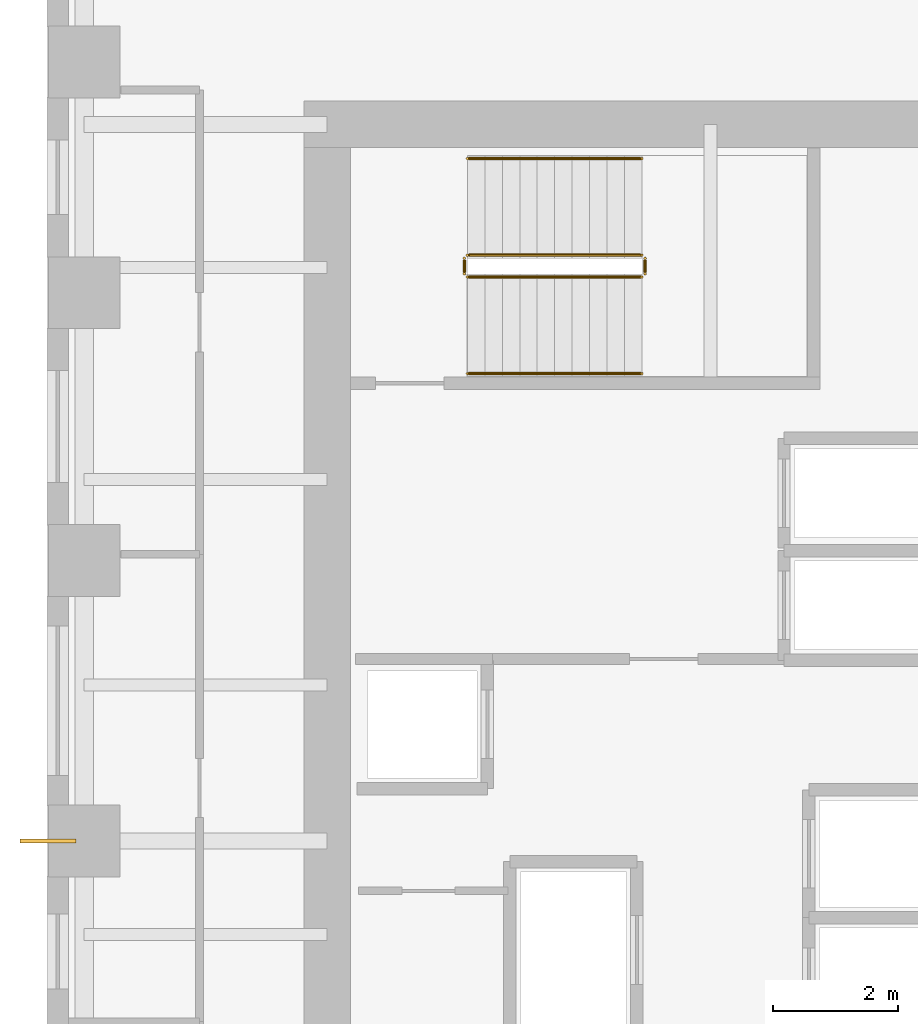
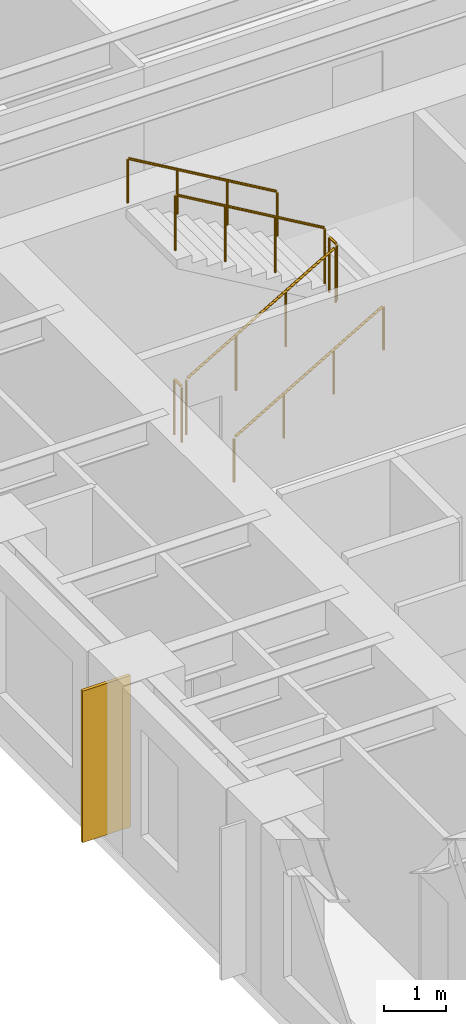
# One storey, part 11 of 12: 6 railings, 1 covering.
"""IFC4 building model written with IfcOpenShell, lengths in metres."""

from ifc_helpers import new_model, si_unit, direction, frame, origin, origin_2d, place, context, subcontext, project, spatial, rectangle, circle, extrude, source, transform, mapped, material, layer, layer_set, type_object, element, save


model = new_model("IFC4")

# Units and contexts
model_context = context("Model", 3, precision=1e-05, world=origin(), true_north=direction((0.0, 1.0)))
body_context = subcontext(model_context, "Body", "Model", "MODEL_VIEW")
ifc_project = project(units=[si_unit("LENGTHUNIT", "METRE"), si_unit("AREAUNIT", "SQUARE_METRE"), si_unit("VOLUMEUNIT", "CUBIC_METRE"), si_unit("PLANEANGLEUNIT", "RADIAN"), si_unit("MASSUNIT", "GRAM", prefix="KILO")], contexts=[model_context])

# Site, building, storey
site_placement = place(None, origin())
site = spatial("IfcSite", under=ifc_project, at=site_placement, CompositionType="ELEMENT")
building_placement = place(site_placement, origin())
building = spatial("IfcBuilding", under=site, at=building_placement, Name="Kharzan Plaza Tower", CompositionType="ELEMENT")
storey_placement = place(building_placement, frame((0.0, 0.0, 106.199951171875)))
storey = spatial("IfcBuildingStorey", under=building, at=storey_placement, Name="L28", CompositionType="ELEMENT", Elevation=106.199951171875)

# Railings
ifc_material_1 = material(Name="Painted Galvanized Architectural Steel", Category="steel")
ifc_layer_1 = layer(ifc_material_1, 0.074951171875)
ifc_layer_set_1 = layer_set([ifc_layer_1], Name="Painted Galvanized Architectural Steel")
railing_type_1 = type_object("IfcRailingType", Name="RL-GUARD-1120", PredefinedType="BALUSTRADE", material=ifc_layer_set_1)
shared_shape_1 = source(origin(), body_context, "Body", "SweptSolid", [
    extrude(circle(Radius=0.02392578125, at=origin_2d()), frame((0.0, 0.0263671875, 1.09619140625), z_axis=(0.0, 1.0, 0.0), x_axis=(-1.0, 0.0, 0.0)), (0.0, 0.0, 1.0), 0.197021484375),
    extrude(circle(Radius=0.02099609375, at=origin_2d()), origin(), (0.0, 0.0, 1.0), 1.072021484375),
    extrude(circle(Radius=0.02099609375, at=origin_2d()), frame((0.0, 0.25, 0.0)), (0.0, 0.0, 1.0), 1.072021484375),
])
for number, where, name in (
    (1, (9.60009765625, 27.10009765625, 1.800048828125), "L28 ST-2 stair guard 2"),
    (2, (6.699951171875, 27.10009765625, 0.0), "L28 ST-2 stair guard 4"),
):
    element("IfcRailing", number, at=place(storey_placement, frame(where)), inside=storey, type_object=railing_type_1, Name=name, PredefinedType="BALUSTRADE", context=body_context, shape_type="MappedRepresentation", body=[
        mapped(shared_shape_1, transform((0.0, 0.0, 0.0), x_axis=(1.0, 0.0, 0.0), y_axis=(0.0, 1.0, 0.0), z_axis=(0.0, 0.0, 1.0))),
    ])

# Covering
ifc_material_2 = material(Name="Honed Riyadh Limestone", Category="masonry")
ifc_layer_2 = layer(ifc_material_2, 0.06005859375)
ifc_layer_set_2 = layer_set([ifc_layer_2], Name="Honed Riyadh Limestone")
covering_type = type_object("IfcCoveringType", Name="COV-CLAD-STONE", PredefinedType="CLADDING", material=ifc_layer_set_2)
shared_shape_2 = source(origin(), body_context, "Body", "SweptSolid", [
    extrude(rectangle(XDim=0.06005859375, YDim=0.89990234375, at=origin_2d()), origin(), (0.0, 0.0, 1.0), 3.0),
])
covering_placement = place(storey_placement, frame((0.02001953125, 18.0, 0.10009765625), z_axis=(0.0, 0.0, 1.0), x_axis=(0.0, 1.0, 0.0)))
element("IfcCovering", 3, at=covering_placement, inside=storey, type_object=covering_type, Name="L28 Limestone Pier Rainscreen Cladding TCW-180", PredefinedType="CLADDING", context=body_context, shape_type="MappedRepresentation", body=[
    mapped(shared_shape_2, transform((0.0, 0.0, 0.0), x_axis=(1.0, 0.0, 0.0), y_axis=(0.0, 1.0, 0.0), z_axis=(0.0, 0.0, 1.0))),
])

# Railings
shared_shape_3 = source(origin(), body_context, "Body", "SweptSolid", [
    extrude(circle(Radius=0.02392578125, at=origin_2d()), frame((0.02294921875, 0.0, 1.109375), z_axis=(0.863360870873, 0.0, 0.504586966384), x_axis=(0.0, 1.0, 0.0)), (0.0, 0.0, 1.0), 3.190185546875),
    extrude(circle(Radius=0.02099609375, at=origin_2d()), origin(), (0.0, 0.0, 1.0), 1.072021484375),
    extrude(circle(Radius=0.02099609375, at=origin_2d()), frame((0.933349609375, 0.0, 0.54541015625)), (0.0, 0.0, 1.0), 1.072021484375),
    extrude(circle(Radius=0.02099609375, at=origin_2d()), frame((1.86669921875, 0.0, 1.091064453125)), (0.0, 0.0, 1.0), 1.072021484375),
    extrude(circle(Radius=0.02099609375, at=origin_2d()), frame((2.800048828125, 0.0, 1.636474609375)), (0.0, 0.0, 1.0), 1.072021484375),
])
railing_1_placement = place(storey_placement, frame((6.75, 27.050048828125, 0.16357421875)))
element("IfcRailing", 4, at=railing_1_placement, inside=storey, type_object=railing_type_1, Name="L28 ST-2 stair guard 1", PredefinedType="BALUSTRADE", context=body_context, shape_type="MappedRepresentation", body=[
    mapped(shared_shape_3, transform((0.0, 0.0, 0.0), x_axis=(1.0, 0.0, 0.0), y_axis=(0.0, 1.0, 0.0), z_axis=(0.0, 0.0, 1.0))),
])
shared_shape_4 = source(origin(), body_context, "Body", "SweptSolid", [
    extrude(circle(Radius=0.02392578125, at=origin_2d()), frame((-0.02294921875, 0.0, 1.109375), z_axis=(-0.863360870873, 0.0, 0.504586966384), x_axis=(0.0, -1.0, 0.0)), (0.0, 0.0, 1.0), 3.190185546875),
    extrude(circle(Radius=0.02099609375, at=origin_2d()), origin(), (0.0, 0.0, 1.0), 1.072021484375),
    extrude(circle(Radius=0.02099609375, at=origin_2d()), frame((-0.933349609375, 0.0, 0.54541015625)), (0.0, 0.0, 1.0), 1.072021484375),
    extrude(circle(Radius=0.02099609375, at=origin_2d()), frame((-1.86669921875, 0.0, 1.091064453125)), (0.0, 0.0, 1.0), 1.072021484375),
    extrude(circle(Radius=0.02099609375, at=origin_2d()), frame((-2.800048828125, 0.0, 1.636474609375)), (0.0, 0.0, 1.0), 1.072021484375),
])
railing_2_placement = place(storey_placement, frame((9.550048828125, 27.39990234375, 1.963623046875)))
element("IfcRailing", 5, at=railing_2_placement, inside=storey, type_object=railing_type_1, Name="L28 ST-2 stair guard 3", PredefinedType="BALUSTRADE", context=body_context, shape_type="MappedRepresentation", body=[
    mapped(shared_shape_4, transform((0.0, 0.0, 0.0), x_axis=(1.0, 0.0, 0.0), y_axis=(0.0, 1.0, 0.0), z_axis=(0.0, 0.0, 1.0))),
])
ifc_material_3 = material(Name="Brushed Stainless Steel", Category="steel")
ifc_layer_3 = layer(ifc_material_3, 0.050048828125)
ifc_layer_set_3 = layer_set([ifc_layer_3], Name="Brushed Stainless Steel")
railing_type_2 = type_object("IfcRailingType", Name="RL-STAIR-HR920", PredefinedType="HANDRAIL", material=ifc_layer_set_3)
shared_shape_5 = source(origin(), body_context, "Body", "SweptSolid", [
    extrude(circle(Radius=0.02392578125, at=origin_2d()), frame((0.02294921875, 0.0, 0.88916015625), z_axis=(0.863360870873, 0.0, 0.504586966384), x_axis=(0.0, 1.0, 0.0)), (0.0, 0.0, 1.0), 3.190185546875),
    extrude(circle(Radius=0.02099609375, at=origin_2d()), origin(), (0.0, 0.0, 1.0), 0.851806640625),
    extrude(circle(Radius=0.02099609375, at=origin_2d()), frame((0.933349609375, 0.0, 0.54541015625)), (0.0, 0.0, 1.0), 0.851806640625),
    extrude(circle(Radius=0.02099609375, at=origin_2d()), frame((1.86669921875, 0.0, 1.091064453125)), (0.0, 0.0, 1.0), 0.851806640625),
    extrude(circle(Radius=0.02099609375, at=origin_2d()), frame((2.800048828125, 0.0, 1.636474609375)), (0.0, 0.0, 1.0), 0.851806640625),
])
railing_3_placement = place(storey_placement, frame((6.75, 25.5, 0.16357421875)))
element("IfcRailing", 6, at=railing_3_placement, inside=storey, type_object=railing_type_2, Name="L28 ST-2 stair handrail 1", PredefinedType="HANDRAIL", context=body_context, shape_type="MappedRepresentation", body=[
    mapped(shared_shape_5, transform((0.0, 0.0, 0.0), x_axis=(1.0, 0.0, 0.0), y_axis=(0.0, 1.0, 0.0), z_axis=(0.0, 0.0, 1.0))),
])
shared_shape_6 = source(origin(), body_context, "Body", "SweptSolid", [
    extrude(circle(Radius=0.02392578125, at=origin_2d()), frame((-0.02294921875, 0.0, 0.88916015625), z_axis=(-0.863360870873, 0.0, 0.504586966384), x_axis=(0.0, -1.0, 0.0)), (0.0, 0.0, 1.0), 3.190185546875),
    extrude(circle(Radius=0.02099609375, at=origin_2d()), origin(), (0.0, 0.0, 1.0), 0.851806640625),
    extrude(circle(Radius=0.02099609375, at=origin_2d()), frame((-0.933349609375, 0.0, 0.54541015625)), (0.0, 0.0, 1.0), 0.851806640625),
    extrude(circle(Radius=0.02099609375, at=origin_2d()), frame((-1.86669921875, 0.0, 1.091064453125)), (0.0, 0.0, 1.0), 0.851806640625),
    extrude(circle(Radius=0.02099609375, at=origin_2d()), frame((-2.800048828125, 0.0, 1.636474609375)), (0.0, 0.0, 1.0), 0.851806640625),
])
railing_4_placement = place(storey_placement, frame((9.550048828125, 28.949951171875, 1.963623046875)))
element("IfcRailing", 7, at=railing_4_placement, inside=storey, type_object=railing_type_2, Name="L28 ST-2 stair handrail 2", PredefinedType="HANDRAIL", context=body_context, shape_type="MappedRepresentation", body=[
    mapped(shared_shape_6, transform((0.0, 0.0, 0.0), x_axis=(1.0, 0.0, 0.0), y_axis=(0.0, 1.0, 0.0), z_axis=(0.0, 0.0, 1.0))),
])

save(model, "model.ifc")
